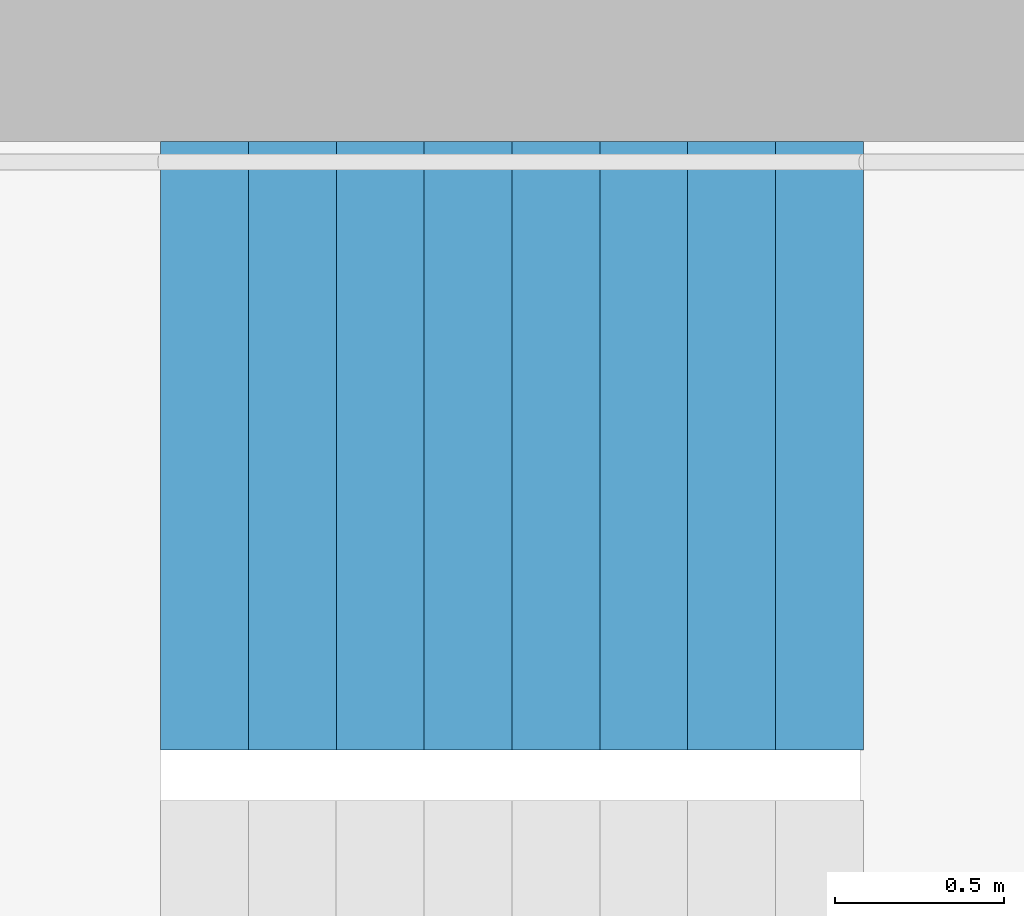
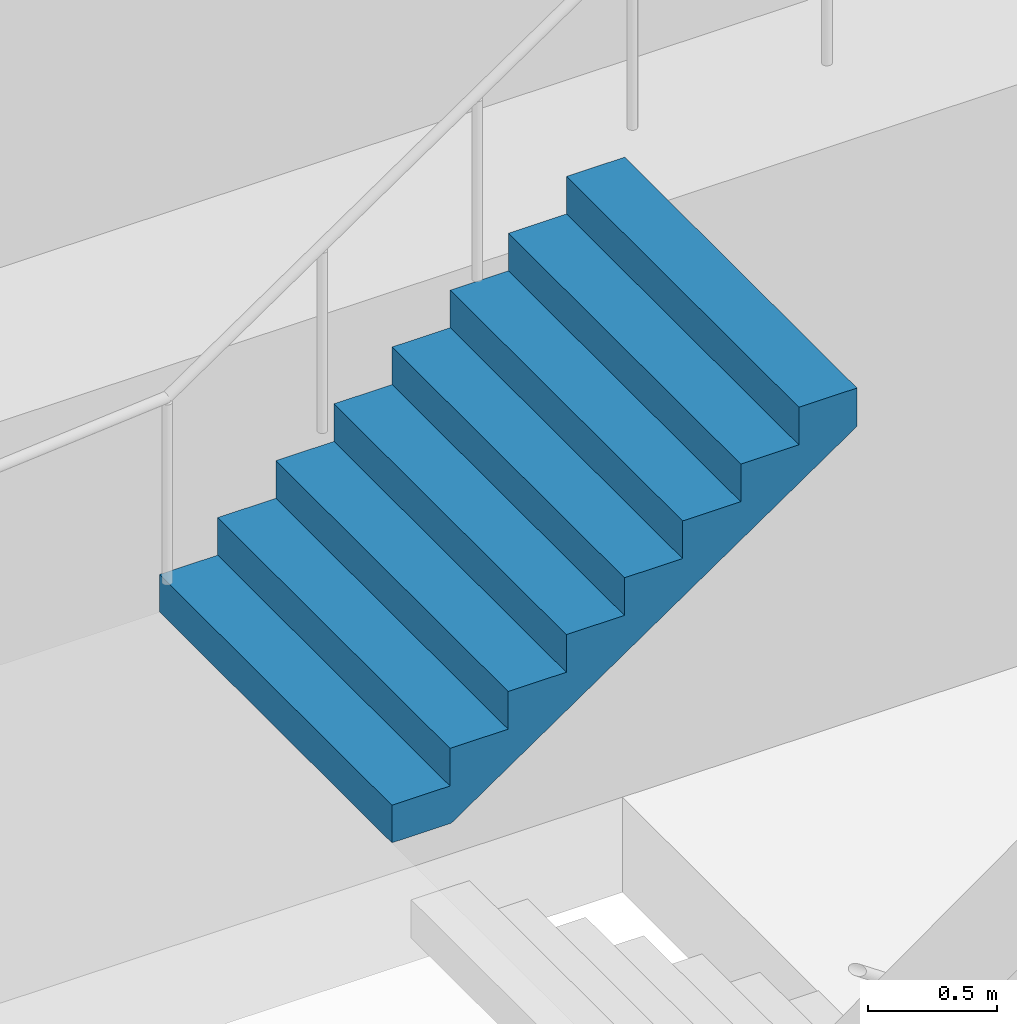
# One storey, part 26 of 32: 1 stair flight, 1 element without a shape of its own.
"""IFC4 building model written with IfcOpenShell, lengths in metres."""

import ifcopenshell
import ifcopenshell.guid

model = None  # the IFC model being written
_history = None  # IfcOwnerHistory: only IFC2X3 demands one
_inside = {}  # id of a spatial element -> (the spatial element, [elements in it])
_under = {}  # id of a project, library or spatial element -> (it, [spatial elements below it])
_declared = {}  # id of a project -> (the project, [libraries it declares])
_typed = {}  # id of a type object -> (the type object, [elements of that type])
_made_of = {}  # id of a material, layer set ... -> (it, [elements and type objects made of it])


def new_model(schema):
    """Start an empty IFC model of exactly this schema.

    Asked for "IFC4X3", IfcOpenShell would pick the latest addendum, in which some entities
    have other attributes; the version numbers below select the first issue.
    IFC2X3 requires an IfcOwnerHistory on every rooted entity: one is made here for all.
    """
    global model, _history
    if schema == "IFC4X3":
        model = ifcopenshell.file(schema_version=(4, 3, 0, 0))
    else:
        model = ifcopenshell.file(schema=schema)
    _inside.clear()
    _under.clear()
    _declared.clear()
    _typed.clear()
    _made_of.clear()
    _history = None
    if model.schema == "IFC2X3":
        org = make("IfcOrganization", Name="unknown")
        user = make(
            "IfcPersonAndOrganization",
            ThePerson=make("IfcPerson", FamilyName="unknown"),
            TheOrganization=org,
        )
        app = make(
            "IfcApplication",
            ApplicationDeveloper=org,
            Version="unknown",
            ApplicationFullName="unknown",
            ApplicationIdentifier="unknown",
        )
        _history = make(
            "IfcOwnerHistory",
            OwningUser=user,
            OwningApplication=app,
            ChangeAction="ADDED",
            CreationDate=0,
        )
    return model


def make(cls, **values):
    """One entity of the class cls with the attributes given. An attribute that is None is left unset."""
    return model.create_entity(
        cls, **{name: value for name, value in values.items() if value is not None}
    )


def rooted(cls, **values):
    """An entity with a GlobalId (a new one), such as an element, a storey or a relation."""
    return make(cls, GlobalId=ifcopenshell.guid.new(), OwnerHistory=_history, **values)


def si_unit(unit_type, name, prefix=None):
    """IfcSIUnit, for example si_unit("LENGTHUNIT", "METRE", prefix="MILLI")."""
    return make("IfcSIUnit", UnitType=unit_type, Prefix=prefix, Name=name)


def assignment(units):
    """IfcUnitAssignment: the units of a project."""
    return None if units is None else make("IfcUnitAssignment", Units=units)


def point(xyz):
    """IfcCartesianPoint."""
    return None if xyz is None else make("IfcCartesianPoint", Coordinates=xyz)


def direction(xyz):
    """IfcDirection."""
    return None if xyz is None else make("IfcDirection", DirectionRatios=xyz)


def frame(location, z_axis=None, x_axis=None):
    """IfcAxis2Placement3D, a coordinate frame: its origin and axes. An axis left out is left unset."""
    return make(
        "IfcAxis2Placement3D",
        Location=point(location),
        Axis=direction(z_axis),
        RefDirection=direction(x_axis),
    )


def origin():
    """The frame at (0, 0, 0) with its axes left unset."""
    return frame((0.0, 0.0, 0.0))


def place(relative_to, where):
    """IfcLocalPlacement: puts the frame where relative to a parent placement (None: the world)."""
    return make(
        "IfcLocalPlacement", PlacementRelTo=relative_to, RelativePlacement=where
    )


def context(
    kind, dimensions, precision=None, world=None, true_north=None, identifier=None
):
    """IfcGeometricRepresentationContext, for example the 3D "Model" context."""
    return make(
        "IfcGeometricRepresentationContext",
        ContextIdentifier=identifier,
        ContextType=kind,
        CoordinateSpaceDimension=dimensions,
        Precision=precision,
        WorldCoordinateSystem=world,
        TrueNorth=true_north,
    )


def subcontext(parent, identifier, kind, view, scale=None):
    """IfcGeometricRepresentationSubContext, for example "Body" below "Model"."""
    return make(
        "IfcGeometricRepresentationSubContext",
        ContextIdentifier=identifier,
        ContextType=kind,
        ParentContext=parent,
        TargetScale=scale,
        TargetView=view,
    )


def project(units=None, contexts=None):
    """IfcProject with its units and contexts."""
    return rooted(
        "IfcProject",
        Name="project",
        RepresentationContexts=contexts,
        UnitsInContext=assignment(units),
    )


def spatial(cls, under=None, at=None, **own):
    """A site, building, storey or space (cls), placed at a placement, below another one or the project."""
    s = rooted(cls, ObjectPlacement=at, **own)
    if under is not None:
        _under.setdefault(under.id(), (under, []))[1].append(s)
    return s


def point_list(points):
    """IfcCartesianPointList2D or 3D."""
    cls = (
        "IfcCartesianPointList2D" if len(points[0]) == 2 else "IfcCartesianPointList3D"
    )
    return make(cls, CoordList=points)


def triangles(points, corners, closed=None, point_numbers=None):
    """IfcTriangulatedFaceSet: each triangle names its three corners, points numbered from 1."""
    return make(
        "IfcTriangulatedFaceSet",
        Coordinates=point_list(points),
        Closed=closed,
        CoordIndex=corners,
        PnIndex=point_numbers,
    )


def shape(context_of_items, identifier, shape_type, items):
    """IfcShapeRepresentation: the items that make up one representation, for example the "Body"."""
    return make(
        "IfcShapeRepresentation",
        ContextOfItems=context_of_items,
        RepresentationIdentifier=identifier,
        RepresentationType=shape_type,
        Items=items,
    )


def material(Name=None, Category=None):
    """IfcMaterial."""
    return make("IfcMaterial", Name=Name, Category=Category)


def made_of(thing, what):
    """Note that an element or type object is made of a material, layer set ...; save() writes the relation."""
    if what is not None:
        _made_of.setdefault(what.id(), (what, []))[1].append(thing)
    return thing


def type_object(cls, material=None, **own):
    """A type object (cls), such as IfcWallType, which elements share."""
    return made_of(rooted(cls, **own), material)


def element(
    cls,
    number,
    at=None,
    inside=None,
    cuts=None,
    type_object=None,
    material=None,
    context=None,
    identifier="Body",
    shape_type=None,
    held_by="IfcProductDefinitionShape",
    body=None,
    shapes=None,
    **own,
):
    """One element of the class cls, such as IfcWall. Its Tag is "e" and its number.

    at: its placement. inside: the storey or other place that contains it. cuts: it is an
    opening in that element (IfcRelVoidsElement). A single representation is given by context,
    identifier, shape_type and body (its items); several are given by shapes. held_by: the class
    of the entity that holds the representations. save() writes the other relations.
    """
    e = rooted(cls, Tag="e%d" % number, ObjectPlacement=at, **own)
    if body is not None:
        shapes = [shape(context, identifier, shape_type, body)]
    if shapes is not None:
        e.Representation = make(held_by, Representations=shapes)
    if inside is not None:
        _inside.setdefault(inside.id(), (inside, []))[1].append(e)
    if cuts is not None:
        rooted(
            "IfcRelVoidsElement", RelatingBuildingElement=cuts, RelatedOpeningElement=e
        )
    if type_object is not None:
        _typed.setdefault(type_object.id(), (type_object, []))[1].append(e)
    return made_of(e, material)


def aggregate(whole, parts):
    """IfcRelAggregates: a whole, such as a stair, and the parts it consists of."""
    return rooted("IfcRelAggregates", RelatingObject=whole, RelatedObjects=parts)


def save(model, path):
    """Write the relations noted so far, then the file.

    IfcRelAggregates (storeys below a building ...), IfcRelContainedInSpatialStructure (elements
    in a storey), IfcRelDefinesByType, IfcRelAssociatesMaterial and IfcRelDeclares: one each for
    every whole, place, type object, material and project.
    """
    for whole, parts in _under.values():
        aggregate(whole, parts)
    for where, things in _inside.values():
        rooted(
            "IfcRelContainedInSpatialStructure",
            RelatedElements=things,
            RelatingStructure=where,
        )
    for kind, things in _typed.values():
        rooted("IfcRelDefinesByType", RelatedObjects=things, RelatingType=kind)
    for what, things in _made_of.values():
        rooted("IfcRelAssociatesMaterial", RelatedObjects=things, RelatingMaterial=what)
    for by, libraries in _declared.values():
        rooted("IfcRelDeclares", RelatingContext=by, RelatedDefinitions=libraries)
    model.write(path)


model = new_model("IFC4")

# Units and contexts
model_context = context("Model", 3, precision=1e-05, world=origin(), true_north=direction((0.0, 1.0)))
body_context = subcontext(model_context, "Body", "Model", "MODEL_VIEW")
ifc_project = project(units=[si_unit("LENGTHUNIT", "METRE"), si_unit("AREAUNIT", "SQUARE_METRE"), si_unit("VOLUMEUNIT", "CUBIC_METRE"), si_unit("PLANEANGLEUNIT", "RADIAN"), si_unit("MASSUNIT", "GRAM", prefix="KILO")], contexts=[model_context])

# Site, building, storey
site_placement = place(None, origin())
site = spatial("IfcSite", under=ifc_project, at=site_placement, CompositionType="ELEMENT")
building_placement = place(site_placement, origin())
building = spatial("IfcBuilding", under=site, at=building_placement, Name="Hakoniwa Tower and Hamabe Station Hall", CompositionType="ELEMENT")
storey_placement = place(building_placement, frame((0.0, 0.0, 150.199951171875)))
storey = spatial("IfcBuildingStorey", under=building, at=storey_placement, Name="L42", CompositionType="ELEMENT", Elevation=150.199951171875)

# Stair, stair flight
ifc_material_1 = material(Name="Concrete C40", Category="concrete")
stair_type = type_object("IfcStairType", Name="ESCAPE STAIR 1800", PredefinedType="HALF_TURN_STAIR", material=ifc_material_1)
stair_placement = place(storey_placement, origin())
stair = element("IfcStair", 1, at=stair_placement, inside=storey, type_object=stair_type, Name="Escape stair ST-3 L42", PredefinedType="HALF_TURN_STAIR")
ifc_material_2 = material(Name="Concrete C40", Category="concrete")
stair_flight_type = type_object("IfcStairFlightType", Name="STAIR FLIGHT 1800", PredefinedType="STRAIGHT", material=ifc_material_2)
stair_flight_placement = place(storey_placement, frame((22.320068359375, 6.60009765625, 1.60009765625), z_axis=(0.0, 0.0, 1.0), x_axis=(1.0, 0.0, 0.0)))
stair_flight = element("IfcStairFlight", 2, at=stair_flight_placement, type_object=stair_flight_type, Name="ST-3 flight 2", NumberOfRisers=9, NumberOfTreads=8, PredefinedType="STRAIGHT", RiserHeight=0.177777778, TreadLength=0.26, context=body_context, shape_type="Tessellation", body=[
    triangles([(0.0, 0.89990234375, 0.0), (0.260009765625, 0.89990234375, 0.0), (0.265625, 0.89990234375, 0.0), (0.52001953125, 0.89990234375, 0.174072265625), (0.780029296875, 0.89990234375, 0.351806640625), (1.0400390625, 0.89990234375, 0.529541015625), (1.300048828125, 0.89990234375, 0.707275390625), (1.56005859375, 0.89990234375, 0.885009765625), (1.820068359375, 0.89990234375, 1.062744140625), (2.080078125, 0.89990234375, 1.24072265625), (2.080078125, 0.89990234375, 1.422119140625), (1.820068359375, 0.89990234375, 1.422119140625), (1.820068359375, 0.89990234375, 1.244384765625), (1.56005859375, 0.89990234375, 1.244384765625), (1.56005859375, 0.89990234375, 1.066650390625), (1.300048828125, 0.89990234375, 1.066650390625), (1.300048828125, 0.89990234375, 0.888916015625), (1.0400390625, 0.89990234375, 0.888916015625), (1.0400390625, 0.89990234375, 0.711181640625), (0.780029296875, 0.89990234375, 0.711181640625), (0.780029296875, 0.89990234375, 0.533447265625), (0.52001953125, 0.89990234375, 0.533447265625), (0.52001953125, 0.89990234375, 0.35546875), (0.265625, 0.89990234375, 0.35546875), (0.260009765625, 0.89990234375, 0.35546875), (0.260009765625, 0.89990234375, 0.177734375), (0.0, 0.89990234375, 0.177734375), (0.0, 0.06005859375, 0.0), (0.260009765625, 0.06005859375, 0.0), (0.265625, 0.06005859375, 0.0), (0.52001953125, 0.06005859375, 0.174072265625), (0.780029296875, 0.06005859375, 0.351806640625), (1.0400390625, 0.06005859375, 0.529541015625), (1.300048828125, 0.06005859375, 0.707275390625), (1.56005859375, 0.06005859375, 0.885009765625), (1.820068359375, 0.06005859375, 1.062744140625), (2.080078125, 0.06005859375, 1.24072265625), (2.080078125, 0.06005859375, 1.422119140625), (1.820068359375, 0.06005859375, 1.422119140625), (1.820068359375, 0.06005859375, 1.244384765625), (1.56005859375, 0.06005859375, 1.244384765625), (1.56005859375, 0.06005859375, 1.066650390625), (1.300048828125, 0.06005859375, 1.066650390625), (1.300048828125, 0.06005859375, 0.888916015625), (1.0400390625, 0.06005859375, 0.888916015625), (1.0400390625, 0.06005859375, 0.711181640625), (0.780029296875, 0.06005859375, 0.711181640625), (0.780029296875, 0.06005859375, 0.533447265625), (0.52001953125, 0.06005859375, 0.533447265625), (0.52001953125, 0.06005859375, 0.35546875), (0.265625, 0.06005859375, 0.35546875), (0.260009765625, 0.06005859375, 0.35546875), (0.260009765625, 0.06005859375, 0.177734375), (0.0, 0.06005859375, 0.177734375), (0.0, 0.04296875, 0.0), (0.260009765625, 0.04296875, 0.0), (0.265625, 0.04296875, 0.0), (0.52001953125, 0.04296875, 0.174072265625), (0.780029296875, 0.04296875, 0.351806640625), (1.0400390625, 0.04296875, 0.529541015625), (1.300048828125, 0.04296875, 0.707275390625), (1.56005859375, 0.04296875, 0.885009765625), (1.820068359375, 0.04296875, 1.062744140625), (2.080078125, 0.04296875, 1.24072265625), (2.080078125, 0.04296875, 1.422119140625), (1.820068359375, 0.04296875, 1.422119140625), (1.820068359375, 0.04296875, 1.244384765625), (1.56005859375, 0.04296875, 1.244384765625), (1.56005859375, 0.04296875, 1.066650390625), (1.300048828125, 0.04296875, 1.066650390625), (1.300048828125, 0.04296875, 0.888916015625), (1.0400390625, 0.04296875, 0.888916015625), (1.0400390625, 0.04296875, 0.711181640625), (0.780029296875, 0.04296875, 0.711181640625), (0.780029296875, 0.04296875, 0.533447265625), (0.52001953125, 0.04296875, 0.533447265625), (0.52001953125, 0.04296875, 0.35546875), (0.265625, 0.04296875, 0.35546875), (0.260009765625, 0.04296875, 0.35546875), (0.260009765625, 0.04296875, 0.177734375), (0.0, 0.04296875, 0.177734375), (0.0, 0.025634765625, 0.0), (0.260009765625, 0.025634765625, 0.0), (0.265625, 0.025634765625, 0.0), (0.52001953125, 0.025634765625, 0.174072265625), (0.780029296875, 0.025634765625, 0.351806640625), (1.0400390625, 0.025634765625, 0.529541015625), (1.300048828125, 0.025634765625, 0.707275390625), (1.56005859375, 0.025634765625, 0.885009765625), (1.820068359375, 0.025634765625, 1.062744140625), (2.080078125, 0.025634765625, 1.24072265625), (2.080078125, 0.025634765625, 1.422119140625), (1.820068359375, 0.025634765625, 1.422119140625), (1.820068359375, 0.025634765625, 1.244384765625), (1.56005859375, 0.025634765625, 1.244384765625), (1.56005859375, 0.025634765625, 1.066650390625), (1.300048828125, 0.025634765625, 1.066650390625), (1.300048828125, 0.025634765625, 0.888916015625), (1.0400390625, 0.025634765625, 0.888916015625), (1.0400390625, 0.025634765625, 0.711181640625), (0.780029296875, 0.025634765625, 0.711181640625), (0.780029296875, 0.025634765625, 0.533447265625), (0.52001953125, 0.025634765625, 0.533447265625), (0.52001953125, 0.025634765625, 0.35546875), (0.265625, 0.025634765625, 0.35546875), (0.260009765625, 0.025634765625, 0.35546875), (0.260009765625, 0.025634765625, 0.177734375), (0.0, 0.025634765625, 0.177734375), (0.0, 0.008544921875, 0.0), (0.260009765625, 0.008544921875, 0.0), (0.265625, 0.008544921875, 0.0), (0.52001953125, 0.008544921875, 0.174072265625), (0.780029296875, 0.008544921875, 0.351806640625), (1.0400390625, 0.008544921875, 0.529541015625), (1.300048828125, 0.008544921875, 0.707275390625), (1.56005859375, 0.008544921875, 0.885009765625), (1.820068359375, 0.008544921875, 1.062744140625), (2.080078125, 0.008544921875, 1.24072265625), (2.080078125, 0.008544921875, 1.422119140625), (1.820068359375, 0.008544921875, 1.422119140625), (1.820068359375, 0.008544921875, 1.244384765625), (1.56005859375, 0.008544921875, 1.244384765625), (1.56005859375, 0.008544921875, 1.066650390625), (1.300048828125, 0.008544921875, 1.066650390625), (1.300048828125, 0.008544921875, 0.888916015625), (1.0400390625, 0.008544921875, 0.888916015625), (1.0400390625, 0.008544921875, 0.711181640625), (0.780029296875, 0.008544921875, 0.711181640625), (0.780029296875, 0.008544921875, 0.533447265625), (0.52001953125, 0.008544921875, 0.533447265625), (0.52001953125, 0.008544921875, 0.35546875), (0.265625, 0.008544921875, 0.35546875), (0.260009765625, 0.008544921875, 0.35546875), (0.260009765625, 0.008544921875, 0.177734375), (0.0, 0.008544921875, 0.177734375), (0.0, -0.008544921875, 0.0), (0.260009765625, -0.008544921875, 0.0), (0.265625, -0.008544921875, 0.0), (0.52001953125, -0.008544921875, 0.174072265625), (0.780029296875, -0.008544921875, 0.351806640625), (1.0400390625, -0.008544921875, 0.529541015625), (1.300048828125, -0.008544921875, 0.707275390625), (1.56005859375, -0.008544921875, 0.885009765625), (1.820068359375, -0.008544921875, 1.062744140625), (2.080078125, -0.008544921875, 1.24072265625), (2.080078125, -0.008544921875, 1.422119140625), (1.820068359375, -0.008544921875, 1.422119140625), (1.820068359375, -0.008544921875, 1.244384765625), (1.56005859375, -0.008544921875, 1.244384765625), (1.56005859375, -0.008544921875, 1.066650390625), (1.300048828125, -0.008544921875, 1.066650390625), (1.300048828125, -0.008544921875, 0.888916015625), (1.0400390625, -0.008544921875, 0.888916015625), (1.0400390625, -0.008544921875, 0.711181640625), (0.780029296875, -0.008544921875, 0.711181640625), (0.780029296875, -0.008544921875, 0.533447265625), (0.52001953125, -0.008544921875, 0.533447265625), (0.52001953125, -0.008544921875, 0.35546875), (0.265625, -0.008544921875, 0.35546875), (0.260009765625, -0.008544921875, 0.35546875), (0.260009765625, -0.008544921875, 0.177734375), (0.0, -0.008544921875, 0.177734375), (0.0, -0.025634765625, 0.0), (0.260009765625, -0.025634765625, 0.0), (0.265625, -0.025634765625, 0.0), (0.52001953125, -0.025634765625, 0.174072265625), (0.780029296875, -0.025634765625, 0.351806640625), (1.0400390625, -0.025634765625, 0.529541015625), (1.300048828125, -0.025634765625, 0.707275390625), (1.56005859375, -0.025634765625, 0.885009765625), (1.820068359375, -0.025634765625, 1.062744140625), (2.080078125, -0.025634765625, 1.24072265625), (2.080078125, -0.025634765625, 1.422119140625), (1.820068359375, -0.025634765625, 1.422119140625), (1.820068359375, -0.025634765625, 1.244384765625), (1.56005859375, -0.025634765625, 1.244384765625), (1.56005859375, -0.025634765625, 1.066650390625), (1.300048828125, -0.025634765625, 1.066650390625), (1.300048828125, -0.025634765625, 0.888916015625), (1.0400390625, -0.025634765625, 0.888916015625), (1.0400390625, -0.025634765625, 0.711181640625), (0.780029296875, -0.025634765625, 0.711181640625), (0.780029296875, -0.025634765625, 0.533447265625), (0.52001953125, -0.025634765625, 0.533447265625), (0.52001953125, -0.025634765625, 0.35546875), (0.265625, -0.025634765625, 0.35546875), (0.260009765625, -0.025634765625, 0.35546875), (0.260009765625, -0.025634765625, 0.177734375), (0.0, -0.025634765625, 0.177734375), (0.0, -0.04296875, 0.0), (0.260009765625, -0.04296875, 0.0), (0.265625, -0.04296875, 0.0), (0.52001953125, -0.04296875, 0.174072265625), (0.780029296875, -0.04296875, 0.351806640625), (1.0400390625, -0.04296875, 0.529541015625), (1.300048828125, -0.04296875, 0.707275390625), (1.56005859375, -0.04296875, 0.885009765625), (1.820068359375, -0.04296875, 1.062744140625), (2.080078125, -0.04296875, 1.24072265625), (2.080078125, -0.04296875, 1.422119140625), (1.820068359375, -0.04296875, 1.422119140625), (1.820068359375, -0.04296875, 1.244384765625), (1.56005859375, -0.04296875, 1.244384765625), (1.56005859375, -0.04296875, 1.066650390625), (1.300048828125, -0.04296875, 1.066650390625), (1.300048828125, -0.04296875, 0.888916015625), (1.0400390625, -0.04296875, 0.888916015625), (1.0400390625, -0.04296875, 0.711181640625), (0.780029296875, -0.04296875, 0.711181640625), (0.780029296875, -0.04296875, 0.533447265625), (0.52001953125, -0.04296875, 0.533447265625), (0.52001953125, -0.04296875, 0.35546875), (0.265625, -0.04296875, 0.35546875), (0.260009765625, -0.04296875, 0.35546875), (0.260009765625, -0.04296875, 0.177734375), (0.0, -0.04296875, 0.177734375), (0.0, -0.06005859375, 0.0), (0.260009765625, -0.06005859375, 0.0), (0.265625, -0.06005859375, 0.0), (0.52001953125, -0.06005859375, 0.174072265625), (0.780029296875, -0.06005859375, 0.351806640625), (1.0400390625, -0.06005859375, 0.529541015625), (1.300048828125, -0.06005859375, 0.707275390625), (1.56005859375, -0.06005859375, 0.885009765625), (1.820068359375, -0.06005859375, 1.062744140625), (2.080078125, -0.06005859375, 1.24072265625), (2.080078125, -0.06005859375, 1.422119140625), (1.820068359375, -0.06005859375, 1.422119140625), (1.820068359375, -0.06005859375, 1.244384765625), (1.56005859375, -0.06005859375, 1.244384765625), (1.56005859375, -0.06005859375, 1.066650390625), (1.300048828125, -0.06005859375, 1.066650390625), (1.300048828125, -0.06005859375, 0.888916015625), (1.0400390625, -0.06005859375, 0.888916015625), (1.0400390625, -0.06005859375, 0.711181640625), (0.780029296875, -0.06005859375, 0.711181640625), (0.780029296875, -0.06005859375, 0.533447265625), (0.52001953125, -0.06005859375, 0.533447265625), (0.52001953125, -0.06005859375, 0.35546875), (0.265625, -0.06005859375, 0.35546875), (0.260009765625, -0.06005859375, 0.35546875), (0.260009765625, -0.06005859375, 0.177734375), (0.0, -0.06005859375, 0.177734375), (0.0, -0.89990234375, 0.0), (0.260009765625, -0.89990234375, 0.0), (0.265625, -0.89990234375, 0.0), (0.52001953125, -0.89990234375, 0.174072265625), (0.780029296875, -0.89990234375, 0.351806640625), (1.0400390625, -0.89990234375, 0.529541015625), (1.300048828125, -0.89990234375, 0.707275390625), (1.56005859375, -0.89990234375, 0.885009765625), (1.820068359375, -0.89990234375, 1.062744140625), (2.080078125, -0.89990234375, 1.24072265625), (2.080078125, -0.89990234375, 1.422119140625), (1.820068359375, -0.89990234375, 1.422119140625), (1.820068359375, -0.89990234375, 1.244384765625), (1.56005859375, -0.89990234375, 1.244384765625), (1.56005859375, -0.89990234375, 1.066650390625), (1.300048828125, -0.89990234375, 1.066650390625), (1.300048828125, -0.89990234375, 0.888916015625), (1.0400390625, -0.89990234375, 0.888916015625), (1.0400390625, -0.89990234375, 0.711181640625), (0.780029296875, -0.89990234375, 0.711181640625), (0.780029296875, -0.89990234375, 0.533447265625), (0.52001953125, -0.89990234375, 0.533447265625), (0.52001953125, -0.89990234375, 0.35546875), (0.265625, -0.89990234375, 0.35546875), (0.260009765625, -0.89990234375, 0.35546875), (0.260009765625, -0.89990234375, 0.177734375), (0.0, -0.89990234375, 0.177734375)], [[2, 27, 26], [245, 269, 270], [2, 1, 27], [245, 270, 244], [3, 25, 24], [246, 267, 268], [3, 26, 25], [246, 268, 269], [3, 2, 26], [246, 269, 245], [4, 24, 23], [247, 266, 267], [4, 3, 24], [247, 267, 246], [5, 22, 21], [248, 264, 265], [5, 23, 22], [248, 265, 266], [5, 4, 23], [248, 266, 247], [6, 20, 19], [249, 262, 263], [6, 21, 20], [249, 263, 264], [6, 5, 21], [249, 264, 248], [7, 18, 17], [250, 260, 261], [7, 19, 18], [250, 261, 262], [7, 6, 19], [250, 262, 249], [8, 16, 15], [251, 258, 259], [8, 17, 16], [251, 259, 260], [8, 7, 17], [251, 260, 250], [9, 14, 13], [252, 256, 257], [9, 15, 14], [252, 257, 258], [9, 8, 15], [252, 258, 251], [10, 12, 11], [253, 254, 255], [10, 13, 12], [253, 255, 256], [10, 9, 13], [253, 256, 252], [1, 2, 29], [1, 29, 28], [28, 29, 56], [28, 56, 55], [55, 56, 83], [55, 83, 82], [82, 83, 110], [82, 110, 109], [109, 110, 137], [109, 137, 136], [136, 137, 164], [136, 164, 163], [163, 164, 191], [163, 191, 190], [190, 191, 218], [190, 218, 217], [217, 218, 245], [217, 245, 244], [2, 3, 30], [2, 30, 29], [29, 30, 57], [29, 57, 56], [56, 57, 84], [56, 84, 83], [83, 84, 111], [83, 111, 110], [110, 111, 138], [110, 138, 137], [137, 138, 165], [137, 165, 164], [164, 165, 192], [164, 192, 191], [191, 192, 219], [191, 219, 218], [218, 219, 246], [218, 246, 245], [3, 4, 31], [3, 31, 30], [30, 31, 58], [30, 58, 57], [57, 58, 85], [57, 85, 84], [84, 85, 112], [84, 112, 111], [111, 112, 139], [111, 139, 138], [138, 139, 166], [138, 166, 165], [165, 166, 193], [165, 193, 192], [192, 193, 220], [192, 220, 219], [219, 220, 247], [219, 247, 246], [4, 5, 32], [4, 32, 31], [31, 32, 59], [31, 59, 58], [58, 59, 86], [58, 86, 85], [85, 86, 113], [85, 113, 112], [112, 113, 140], [112, 140, 139], [139, 140, 167], [139, 167, 166], [166, 167, 194], [166, 194, 193], [193, 194, 221], [193, 221, 220], [220, 221, 248], [220, 248, 247], [5, 6, 33], [5, 33, 32], [32, 33, 60], [32, 60, 59], [59, 60, 87], [59, 87, 86], [86, 87, 114], [86, 114, 113], [113, 114, 141], [113, 141, 140], [140, 141, 168], [140, 168, 167], [167, 168, 195], [167, 195, 194], [194, 195, 222], [194, 222, 221], [221, 222, 249], [221, 249, 248], [6, 7, 34], [6, 34, 33], [33, 34, 61], [33, 61, 60], [60, 61, 88], [60, 88, 87], [87, 88, 115], [87, 115, 114], [114, 115, 142], [114, 142, 141], [141, 142, 169], [141, 169, 168], [168, 169, 196], [168, 196, 195], [195, 196, 223], [195, 223, 222], [222, 223, 250], [222, 250, 249], [7, 8, 35], [7, 35, 34], [34, 35, 62], [34, 62, 61], [61, 62, 89], [61, 89, 88], [88, 89, 116], [88, 116, 115], [115, 116, 143], [115, 143, 142], [142, 143, 170], [142, 170, 169], [169, 170, 197], [169, 197, 196], [196, 197, 224], [196, 224, 223], [223, 224, 251], [223, 251, 250], [8, 9, 36], [8, 36, 35], [35, 36, 63], [35, 63, 62], [62, 63, 90], [62, 90, 89], [89, 90, 117], [89, 117, 116], [116, 117, 144], [116, 144, 143], [143, 144, 171], [143, 171, 170], [170, 171, 198], [170, 198, 197], [197, 198, 225], [197, 225, 224], [224, 225, 252], [224, 252, 251], [9, 10, 37], [9, 37, 36], [36, 37, 64], [36, 64, 63], [63, 64, 91], [63, 91, 90], [90, 91, 118], [90, 118, 117], [117, 118, 145], [117, 145, 144], [144, 145, 172], [144, 172, 171], [171, 172, 199], [171, 199, 198], [198, 199, 226], [198, 226, 225], [225, 226, 253], [225, 253, 252], [10, 11, 38], [10, 38, 37], [37, 38, 65], [37, 65, 64], [64, 65, 92], [64, 92, 91], [91, 92, 119], [91, 119, 118], [118, 119, 146], [118, 146, 145], [145, 146, 173], [145, 173, 172], [172, 173, 200], [172, 200, 199], [199, 200, 227], [199, 227, 226], [226, 227, 254], [226, 254, 253], [11, 12, 39], [11, 39, 38], [38, 39, 66], [38, 66, 65], [65, 66, 93], [65, 93, 92], [92, 93, 120], [92, 120, 119], [119, 120, 147], [119, 147, 146], [146, 147, 174], [146, 174, 173], [173, 174, 201], [173, 201, 200], [200, 201, 228], [200, 228, 227], [227, 228, 255], [227, 255, 254], [12, 13, 40], [12, 40, 39], [39, 40, 67], [39, 67, 66], [66, 67, 94], [66, 94, 93], [93, 94, 121], [93, 121, 120], [120, 121, 148], [120, 148, 147], [147, 148, 175], [147, 175, 174], [174, 175, 202], [174, 202, 201], [201, 202, 229], [201, 229, 228], [228, 229, 256], [228, 256, 255], [13, 14, 41], [13, 41, 40], [40, 41, 68], [40, 68, 67], [67, 68, 95], [67, 95, 94], [94, 95, 122], [94, 122, 121], [121, 122, 149], [121, 149, 148], [148, 149, 176], [148, 176, 175], [175, 176, 203], [175, 203, 202], [202, 203, 230], [202, 230, 229], [229, 230, 257], [229, 257, 256], [14, 15, 42], [14, 42, 41], [41, 42, 69], [41, 69, 68], [68, 69, 96], [68, 96, 95], [95, 96, 123], [95, 123, 122], [122, 123, 150], [122, 150, 149], [149, 150, 177], [149, 177, 176], [176, 177, 204], [176, 204, 203], [203, 204, 231], [203, 231, 230], [230, 231, 258], [230, 258, 257], [15, 16, 43], [15, 43, 42], [42, 43, 70], [42, 70, 69], [69, 70, 97], [69, 97, 96], [96, 97, 124], [96, 124, 123], [123, 124, 151], [123, 151, 150], [150, 151, 178], [150, 178, 177], [177, 178, 205], [177, 205, 204], [204, 205, 232], [204, 232, 231], [231, 232, 259], [231, 259, 258], [16, 17, 44], [16, 44, 43], [43, 44, 71], [43, 71, 70], [70, 71, 98], [70, 98, 97], [97, 98, 125], [97, 125, 124], [124, 125, 152], [124, 152, 151], [151, 152, 179], [151, 179, 178], [178, 179, 206], [178, 206, 205], [205, 206, 233], [205, 233, 232], [232, 233, 260], [232, 260, 259], [17, 18, 45], [17, 45, 44], [44, 45, 72], [44, 72, 71], [71, 72, 99], [71, 99, 98], [98, 99, 126], [98, 126, 125], [125, 126, 153], [125, 153, 152], [152, 153, 180], [152, 180, 179], [179, 180, 207], [179, 207, 206], [206, 207, 234], [206, 234, 233], [233, 234, 261], [233, 261, 260], [18, 19, 46], [18, 46, 45], [45, 46, 73], [45, 73, 72], [72, 73, 100], [72, 100, 99], [99, 100, 127], [99, 127, 126], [126, 127, 154], [126, 154, 153], [153, 154, 181], [153, 181, 180], [180, 181, 208], [180, 208, 207], [207, 208, 235], [207, 235, 234], [234, 235, 262], [234, 262, 261], [19, 20, 47], [19, 47, 46], [46, 47, 74], [46, 74, 73], [73, 74, 101], [73, 101, 100], [100, 101, 128], [100, 128, 127], [127, 128, 155], [127, 155, 154], [154, 155, 182], [154, 182, 181], [181, 182, 209], [181, 209, 208], [208, 209, 236], [208, 236, 235], [235, 236, 263], [235, 263, 262], [20, 21, 48], [20, 48, 47], [47, 48, 75], [47, 75, 74], [74, 75, 102], [74, 102, 101], [101, 102, 129], [101, 129, 128], [128, 129, 156], [128, 156, 155], [155, 156, 183], [155, 183, 182], [182, 183, 210], [182, 210, 209], [209, 210, 237], [209, 237, 236], [236, 237, 264], [236, 264, 263], [21, 22, 49], [21, 49, 48], [48, 49, 76], [48, 76, 75], [75, 76, 103], [75, 103, 102], [102, 103, 130], [102, 130, 129], [129, 130, 157], [129, 157, 156], [156, 157, 184], [156, 184, 183], [183, 184, 211], [183, 211, 210], [210, 211, 238], [210, 238, 237], [237, 238, 265], [237, 265, 264], [22, 23, 50], [22, 50, 49], [49, 50, 77], [49, 77, 76], [76, 77, 104], [76, 104, 103], [103, 104, 131], [103, 131, 130], [130, 131, 158], [130, 158, 157], [157, 158, 185], [157, 185, 184], [184, 185, 212], [184, 212, 211], [211, 212, 239], [211, 239, 238], [238, 239, 266], [238, 266, 265], [23, 24, 51], [23, 51, 50], [50, 51, 78], [50, 78, 77], [77, 78, 105], [77, 105, 104], [104, 105, 132], [104, 132, 131], [131, 132, 159], [131, 159, 158], [158, 159, 186], [158, 186, 185], [185, 186, 213], [185, 213, 212], [212, 213, 240], [212, 240, 239], [239, 240, 267], [239, 267, 266], [24, 25, 52], [24, 52, 51], [51, 52, 79], [51, 79, 78], [78, 79, 106], [78, 106, 105], [105, 106, 133], [105, 133, 132], [132, 133, 160], [132, 160, 159], [159, 160, 187], [159, 187, 186], [186, 187, 214], [186, 214, 213], [213, 214, 241], [213, 241, 240], [240, 241, 268], [240, 268, 267], [25, 26, 53], [25, 53, 52], [52, 53, 80], [52, 80, 79], [79, 80, 107], [79, 107, 106], [106, 107, 134], [106, 134, 133], [133, 134, 161], [133, 161, 160], [160, 161, 188], [160, 188, 187], [187, 188, 215], [187, 215, 214], [214, 215, 242], [214, 242, 241], [241, 242, 269], [241, 269, 268], [26, 27, 54], [26, 54, 53], [53, 54, 81], [53, 81, 80], [80, 81, 108], [80, 108, 107], [107, 108, 135], [107, 135, 134], [134, 135, 162], [134, 162, 161], [161, 162, 189], [161, 189, 188], [188, 189, 216], [188, 216, 215], [215, 216, 243], [215, 243, 242], [242, 243, 270], [242, 270, 269], [27, 1, 28], [27, 28, 54], [54, 28, 55], [54, 55, 81], [81, 55, 82], [81, 82, 108], [108, 82, 109], [108, 109, 135], [135, 109, 136], [135, 136, 162], [162, 136, 163], [162, 163, 189], [189, 163, 190], [189, 190, 216], [216, 190, 217], [216, 217, 243], [243, 217, 244], [243, 244, 270]], closed=True),
])
aggregate(stair, [stair_flight])

save(model, "model.ifc")
